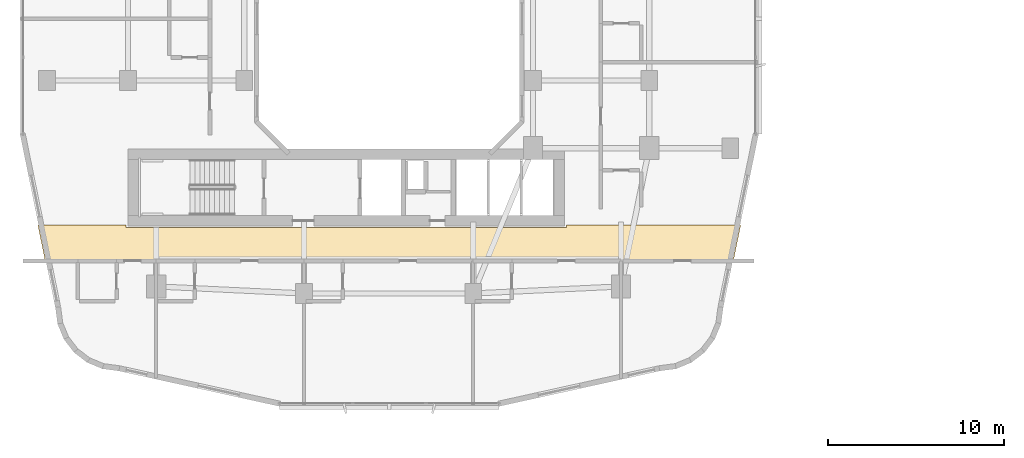
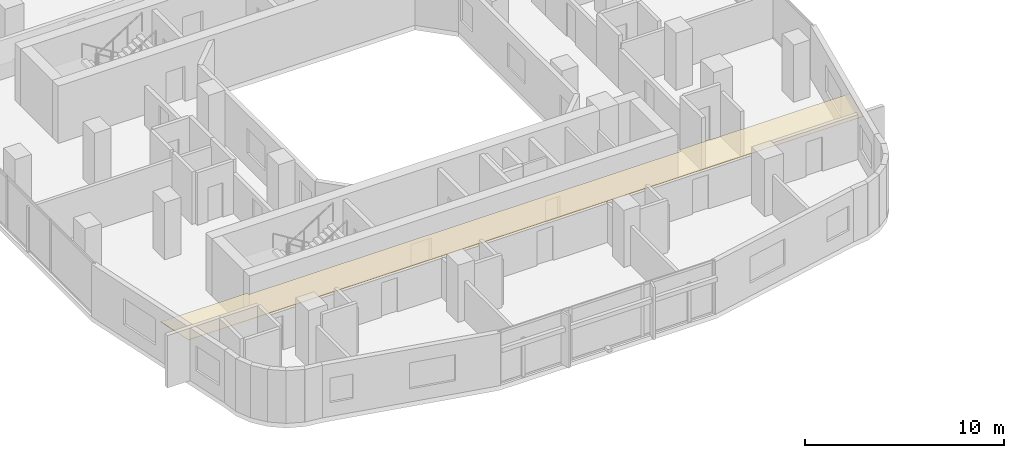
# One storey, part 24 of 27: 1 covering.
"""IFC4 building model written with IfcOpenShell, lengths in metres."""

import ifcopenshell
import ifcopenshell.guid

model = None  # the IFC model being written
_history = None  # IfcOwnerHistory: only IFC2X3 demands one
_inside = {}  # id of a spatial element -> (the spatial element, [elements in it])
_under = {}  # id of a project, library or spatial element -> (it, [spatial elements below it])
_declared = {}  # id of a project -> (the project, [libraries it declares])
_typed = {}  # id of a type object -> (the type object, [elements of that type])
_made_of = {}  # id of a material, layer set ... -> (it, [elements and type objects made of it])


def new_model(schema):
    """Start an empty IFC model of exactly this schema.

    Asked for "IFC4X3", IfcOpenShell would pick the latest addendum, in which some entities
    have other attributes; the version numbers below select the first issue.
    IFC2X3 requires an IfcOwnerHistory on every rooted entity: one is made here for all.
    """
    global model, _history
    if schema == "IFC4X3":
        model = ifcopenshell.file(schema_version=(4, 3, 0, 0))
    else:
        model = ifcopenshell.file(schema=schema)
    _inside.clear()
    _under.clear()
    _declared.clear()
    _typed.clear()
    _made_of.clear()
    _history = None
    if model.schema == "IFC2X3":
        org = make("IfcOrganization", Name="unknown")
        user = make(
            "IfcPersonAndOrganization",
            ThePerson=make("IfcPerson", FamilyName="unknown"),
            TheOrganization=org,
        )
        app = make(
            "IfcApplication",
            ApplicationDeveloper=org,
            Version="unknown",
            ApplicationFullName="unknown",
            ApplicationIdentifier="unknown",
        )
        _history = make(
            "IfcOwnerHistory",
            OwningUser=user,
            OwningApplication=app,
            ChangeAction="ADDED",
            CreationDate=0,
        )
    return model


def make(cls, **values):
    """One entity of the class cls with the attributes given. An attribute that is None is left unset."""
    return model.create_entity(
        cls, **{name: value for name, value in values.items() if value is not None}
    )


def rooted(cls, **values):
    """An entity with a GlobalId (a new one), such as an element, a storey or a relation."""
    return make(cls, GlobalId=ifcopenshell.guid.new(), OwnerHistory=_history, **values)


def si_unit(unit_type, name, prefix=None):
    """IfcSIUnit, for example si_unit("LENGTHUNIT", "METRE", prefix="MILLI")."""
    return make("IfcSIUnit", UnitType=unit_type, Prefix=prefix, Name=name)


def derived_unit(unit_type, elements):
    """IfcDerivedUnit: a product of units, each with its exponent."""
    return make(
        "IfcDerivedUnit",
        Elements=[
            make("IfcDerivedUnitElement", Unit=unit, Exponent=power)
            for unit, power in elements
        ],
        UnitType=unit_type,
    )


def assignment(units):
    """IfcUnitAssignment: the units of a project."""
    return None if units is None else make("IfcUnitAssignment", Units=units)


def point(xyz):
    """IfcCartesianPoint."""
    return None if xyz is None else make("IfcCartesianPoint", Coordinates=xyz)


def direction(xyz):
    """IfcDirection."""
    return None if xyz is None else make("IfcDirection", DirectionRatios=xyz)


def frame(location, z_axis=None, x_axis=None):
    """IfcAxis2Placement3D, a coordinate frame: its origin and axes. An axis left out is left unset."""
    return make(
        "IfcAxis2Placement3D",
        Location=point(location),
        Axis=direction(z_axis),
        RefDirection=direction(x_axis),
    )


def origin():
    """The frame at (0, 0, 0) with its axes left unset."""
    return frame((0.0, 0.0, 0.0))


def place(relative_to, where):
    """IfcLocalPlacement: puts the frame where relative to a parent placement (None: the world)."""
    return make(
        "IfcLocalPlacement", PlacementRelTo=relative_to, RelativePlacement=where
    )


def context(
    kind, dimensions, precision=None, world=None, true_north=None, identifier=None
):
    """IfcGeometricRepresentationContext, for example the 3D "Model" context."""
    return make(
        "IfcGeometricRepresentationContext",
        ContextIdentifier=identifier,
        ContextType=kind,
        CoordinateSpaceDimension=dimensions,
        Precision=precision,
        WorldCoordinateSystem=world,
        TrueNorth=true_north,
    )


def subcontext(parent, identifier, kind, view, scale=None):
    """IfcGeometricRepresentationSubContext, for example "Body" below "Model"."""
    return make(
        "IfcGeometricRepresentationSubContext",
        ContextIdentifier=identifier,
        ContextType=kind,
        ParentContext=parent,
        TargetScale=scale,
        TargetView=view,
    )


def project(units=None, contexts=None):
    """IfcProject with its units and contexts."""
    return rooted(
        "IfcProject",
        Name="project",
        RepresentationContexts=contexts,
        UnitsInContext=assignment(units),
    )


def spatial(cls, under=None, at=None, **own):
    """A site, building, storey or space (cls), placed at a placement, below another one or the project."""
    s = rooted(cls, ObjectPlacement=at, **own)
    if under is not None:
        _under.setdefault(under.id(), (under, []))[1].append(s)
    return s


def polyline(points):
    """IfcPolyline through the points."""
    return make("IfcPolyline", Points=[point(p) for p in points])


def outline(outer, holes=None, kind="AREA"):
    """IfcArbitraryClosedProfileDef: a profile drawn as a closed curve; with holes, ...WithVoids."""
    if holes is None:
        return make("IfcArbitraryClosedProfileDef", ProfileType=kind, OuterCurve=outer)
    return make(
        "IfcArbitraryProfileDefWithVoids",
        ProfileType=kind,
        OuterCurve=outer,
        InnerCurves=holes,
    )


def extrude(swept, where, along, depth):
    """IfcExtrudedAreaSolid: the profile swept, set in the frame where, extruded along a direction by depth."""
    return make(
        "IfcExtrudedAreaSolid",
        SweptArea=swept,
        Position=where,
        ExtrudedDirection=direction(along),
        Depth=depth,
    )


def shape(context_of_items, identifier, shape_type, items):
    """IfcShapeRepresentation: the items that make up one representation, for example the "Body"."""
    return make(
        "IfcShapeRepresentation",
        ContextOfItems=context_of_items,
        RepresentationIdentifier=identifier,
        RepresentationType=shape_type,
        Items=items,
    )


def material(Name=None, Category=None):
    """IfcMaterial."""
    return make("IfcMaterial", Name=Name, Category=Category)


def layer(
    of_material, thickness, ventilated=None, Name=None, Category=None, Priority=None
):
    """IfcMaterialLayer: one layer of a wall or slab, of a material (None: an air gap)."""
    return make(
        "IfcMaterialLayer",
        Material=of_material,
        LayerThickness=thickness,
        IsVentilated=ventilated,
        Name=Name,
        Category=Category,
        Priority=Priority,
    )


def layer_set(layers, Name=None):
    """IfcMaterialLayerSet."""
    return make("IfcMaterialLayerSet", MaterialLayers=layers, LayerSetName=Name)


def made_of(thing, what):
    """Note that an element or type object is made of a material, layer set ...; save() writes the relation."""
    if what is not None:
        _made_of.setdefault(what.id(), (what, []))[1].append(thing)
    return thing


def type_object(cls, material=None, **own):
    """A type object (cls), such as IfcWallType, which elements share."""
    return made_of(rooted(cls, **own), material)


def element(
    cls,
    number,
    at=None,
    inside=None,
    cuts=None,
    type_object=None,
    material=None,
    context=None,
    identifier="Body",
    shape_type=None,
    held_by="IfcProductDefinitionShape",
    body=None,
    shapes=None,
    **own,
):
    """One element of the class cls, such as IfcWall. Its Tag is "e" and its number.

    at: its placement. inside: the storey or other place that contains it. cuts: it is an
    opening in that element (IfcRelVoidsElement). A single representation is given by context,
    identifier, shape_type and body (its items); several are given by shapes. held_by: the class
    of the entity that holds the representations. save() writes the other relations.
    """
    e = rooted(cls, Tag="e%d" % number, ObjectPlacement=at, **own)
    if body is not None:
        shapes = [shape(context, identifier, shape_type, body)]
    if shapes is not None:
        e.Representation = make(held_by, Representations=shapes)
    if inside is not None:
        _inside.setdefault(inside.id(), (inside, []))[1].append(e)
    if cuts is not None:
        rooted(
            "IfcRelVoidsElement", RelatingBuildingElement=cuts, RelatedOpeningElement=e
        )
    if type_object is not None:
        _typed.setdefault(type_object.id(), (type_object, []))[1].append(e)
    return made_of(e, material)


def aggregate(whole, parts):
    """IfcRelAggregates: a whole, such as a stair, and the parts it consists of."""
    return rooted("IfcRelAggregates", RelatingObject=whole, RelatedObjects=parts)


def save(model, path):
    """Write the relations noted so far, then the file.

    IfcRelAggregates (storeys below a building ...), IfcRelContainedInSpatialStructure (elements
    in a storey), IfcRelDefinesByType, IfcRelAssociatesMaterial and IfcRelDeclares: one each for
    every whole, place, type object, material and project.
    """
    for whole, parts in _under.values():
        aggregate(whole, parts)
    for where, things in _inside.values():
        rooted(
            "IfcRelContainedInSpatialStructure",
            RelatedElements=things,
            RelatingStructure=where,
        )
    for kind, things in _typed.values():
        rooted("IfcRelDefinesByType", RelatedObjects=things, RelatingType=kind)
    for what, things in _made_of.values():
        rooted("IfcRelAssociatesMaterial", RelatedObjects=things, RelatingMaterial=what)
    for by, libraries in _declared.values():
        rooted("IfcRelDeclares", RelatingContext=by, RelatedDefinitions=libraries)
    model.write(path)


model = new_model("IFC4")

# Units and contexts
model_context = context("Model", 3, precision=1e-05, world=origin(), true_north=direction((0.0, 1.0)))
body_context = subcontext(model_context, "Body", "Model", "MODEL_VIEW")
ifc_project = project(units=[si_unit("LENGTHUNIT", "METRE"), si_unit("AREAUNIT", "SQUARE_METRE"), si_unit("VOLUMEUNIT", "CUBIC_METRE"), si_unit("PLANEANGLEUNIT", "RADIAN"), si_unit("MASSUNIT", "GRAM", prefix="KILO"), derived_unit("THERMALTRANSMITTANCEUNIT", [(si_unit("POWERUNIT", "WATT"), 1), (si_unit("LENGTHUNIT", "METRE"), -2), (si_unit("THERMODYNAMICTEMPERATUREUNIT", "KELVIN"), -1)])], contexts=[model_context])

# Site, building, storey
site_placement = place(None, origin())
site = spatial("IfcSite", under=ifc_project, at=site_placement, CompositionType="ELEMENT")
building_placement = place(site_placement, origin())
building = spatial("IfcBuilding", under=site, at=building_placement, Name="Kivonza Crest Hotel", CompositionType="ELEMENT")
storey_placement = place(building_placement, frame((0.0, 0.0, 31.0)))
storey = spatial("IfcBuildingStorey", under=building, at=storey_placement, Name="L07", CompositionType="ELEMENT", Elevation=31.0)

# Covering
ifc_material = material(Name="Mineral-fibre acoustic ceiling tile", Category="gypsum")
ifc_layer = layer(ifc_material, 0.02490234375)
ifc_layer_set = layer_set([ifc_layer], Name="Mineral-fibre acoustic ceiling tile")
covering_type = type_object("IfcCoveringType", Name="CV-CEIL-ACOU", PredefinedType="CEILING", material=ifc_layer_set)
covering_placement = place(storey_placement, frame((0.0, 0.0, 2.449951171875)))
element("IfcCovering", 1, at=covering_placement, inside=storey, type_object=covering_type, Name="L07 Hotel South Guest Corridor suspended ceiling", PredefinedType="CEILING", context=body_context, shape_type="SweptSolid", body=[
    extrude(outline(polyline([(31.10009765625, 13.2900390625), (31.10009765625, 13.139892578125), (6.10009765625, 13.139892578125), (6.10009765625, 13.280029296875), (1.083984375, 13.280029296875), (1.506103515625, 11.2099609375), (40.573974609375, 11.2099609375), (40.99609375, 13.280029296875), (33.090087890625, 13.280029296875), (33.090087890625, 13.2900390625), (31.10009765625, 13.2900390625)])), origin(), (0.0, 0.0, 1.0), 0.025146484375),
])

save(model, "model.ifc")
